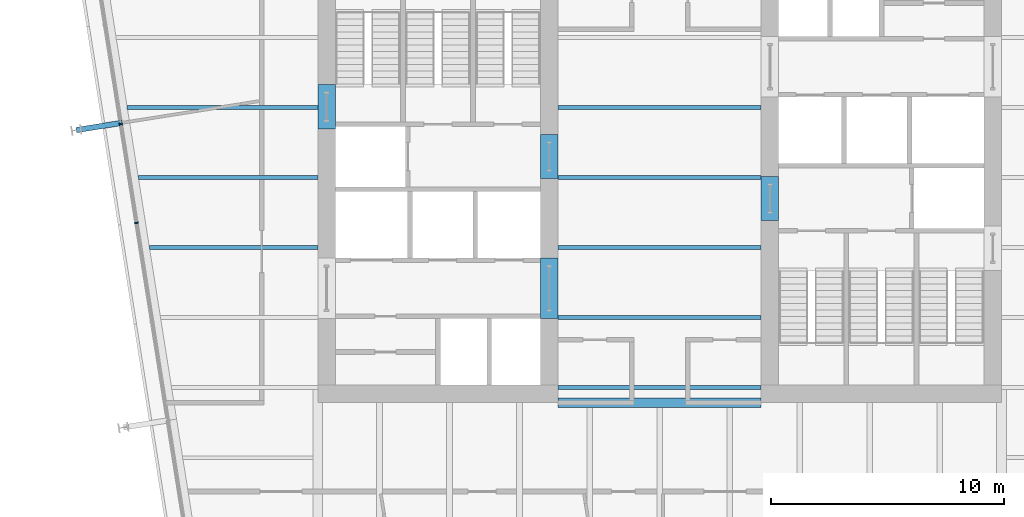
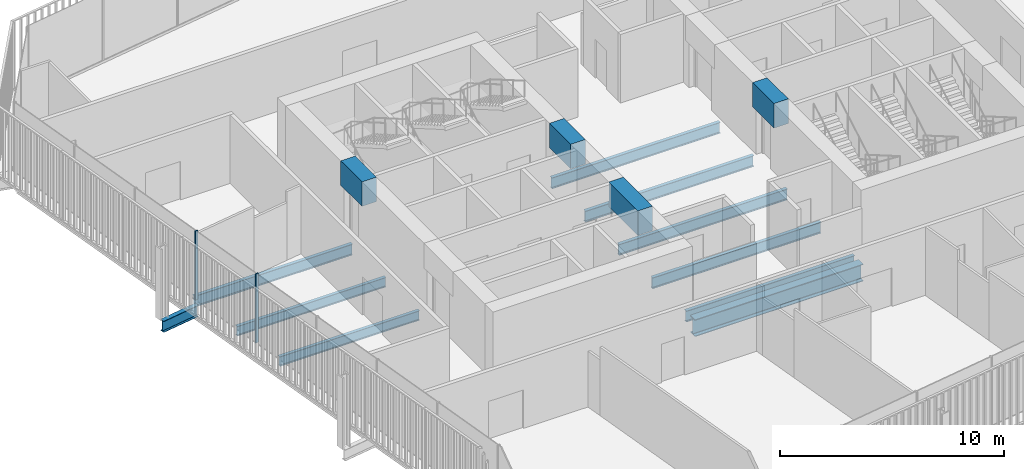
# One storey, part 6 of 21: 14 beams, 2 members, 1 element without a shape of its own.
"""IFC4 building model written with IfcOpenShell, lengths in metres."""

from ifc_helpers import new_model, si_unit, direction, frame, origin, origin_2d, place, context, subcontext, project, spatial, rectangle, i_section, extrude, material, layer, layer_set, material_profile, profile_set, type_object, element, aggregate, save


model = new_model("IFC4")

# Units and contexts
model_context = context("Model", 3, precision=1e-05, world=origin(), true_north=direction((0.0, 1.0)))
body_context = subcontext(model_context, "Body", "Model", "MODEL_VIEW")
ifc_project = project(units=[si_unit("LENGTHUNIT", "METRE"), si_unit("AREAUNIT", "SQUARE_METRE"), si_unit("VOLUMEUNIT", "CUBIC_METRE"), si_unit("PLANEANGLEUNIT", "RADIAN"), si_unit("MASSUNIT", "GRAM", prefix="KILO")], contexts=[model_context])

# Site, building, storey
site_placement = place(None, origin())
site = spatial("IfcSite", under=ifc_project, at=site_placement, CompositionType="ELEMENT")
building_placement = place(site_placement, origin())
building = spatial("IfcBuilding", under=site, at=building_placement, Name="Millrace Tower", CompositionType="ELEMENT")
storey_placement = place(building_placement, frame((0.0, 0.0, 149.0)))
storey = spatial("IfcBuildingStorey", under=building, at=storey_placement, Name="L33", CompositionType="ELEMENT", Elevation=149.0)

# Curtain wall, members
ifc_material_1 = material(Name="Aluminium and glass", Category="aluminium")
ifc_layer = layer(ifc_material_1, 0.14990234375)
ifc_layer_set = layer_set([ifc_layer], Name="Aluminium and glass")
curtain_wall_type = type_object("IfcCurtainWallType", Name="CW-1 office vision curtain wall", PredefinedType="NOTDEFINED", material=ifc_layer_set)
curtain_wall_placement = place(storey_placement, origin())
curtain_wall = element("IfcCurtainWall", 1, at=curtain_wall_placement, inside=storey, type_object=curtain_wall_type, Name="Curtain wall C-F08 L33", PredefinedType="NOTDEFINED")
ifc_material_2 = material(Name="Aluminium", Category="aluminium")
ifc_material_profile_1 = material_profile(ifc_material_2, rectangle(XDim=0.06494140625, YDim=0.14990234375, at=origin_2d()))
ifc_profile_set_1 = profile_set([ifc_material_profile_1], Name="Aluminium")
member_type = type_object("IfcMemberType", Name="CW-1 office vision curtain wall mullion", PredefinedType="MULLION", material=ifc_profile_set_1)
member_1_placement = place(storey_placement, frame((-23.088623046875, 2.300537109375, 0.139892578125), z_axis=(0.0, 0.0, 1.0), x_axis=(0.15643447328, -0.98768833929, 0.0)))
member_1 = element("IfcMember", 2, at=member_1_placement, type_object=member_type, Name="CW1 mullion C-F08.4", PredefinedType="MULLION", context=body_context, shape_type="SweptSolid", body=[
    extrude(rectangle(XDim=0.06494140625, YDim=0.14990234375, at=origin_2d()), origin(), (0.0, 0.0, 1.0), 3.760009765625),
])
member_2_placement = place(storey_placement, frame((-22.416015625, -1.946533203125, 0.139892578125), z_axis=(0.0, 0.0, 1.0), x_axis=(0.15643447328, -0.98768833929, 0.0)))
member_2 = element("IfcMember", 3, at=member_2_placement, type_object=member_type, Name="CW1 mullion C-F08.5", PredefinedType="MULLION", context=body_context, shape_type="SweptSolid", body=[
    extrude(rectangle(XDim=0.06494140625, YDim=0.14990234375, at=origin_2d()), origin(), (0.0, 0.0, 1.0), 3.760009765625),
])
aggregate(curtain_wall, [member_1, member_2])

# Beams
ifc_material_3 = material(Name="Concrete C70", Category="concrete")
ifc_material_profile_2 = material_profile(ifc_material_3, rectangle(XDim=0.75, YDim=1.340087890625, at=origin_2d()))
ifc_profile_set_2 = profile_set([ifc_material_profile_2], Name="Concrete C70")
beam_type_1 = type_object("IfcBeamType", Name="Coupling beam 750 x 1340 Concrete C70, 1300 opening", PredefinedType="BEAM", material=ifc_profile_set_2)
beam_1_placement = place(storey_placement, frame((-14.27490234375, 2.080078125, 3.070068359375), z_axis=(0.0, 1.0, 0.0), x_axis=(-1.0, 0.0, 0.0)))
element("IfcBeam", 4, at=beam_1_placement, inside=storey, type_object=beam_type_1, Name="Coupling beam W L33", PredefinedType="BEAM", context=body_context, shape_type="SweptSolid", body=[
    extrude(rectangle(XDim=0.75, YDim=1.340087890625, at=origin_2d()), origin(), (0.0, 0.0, 1.0), 1.89990234375),
])
for number, where, z_axis, x_axis, name in (
    (5, (-4.72509765625, -0.050048828125, 3.070068359375), (0.0, 1.0, 0.0), (-1.0, 0.0, 0.0), "Coupling beam W L33"),
    (6, (4.72509765625, 0.050048828125, 3.070068359375), (0.0, -1.0, 0.0), (1.0, 0.0, 0.0), "Coupling beam E L33"),
):
    element("IfcBeam", number, at=place(storey_placement, frame(where, z_axis=z_axis, x_axis=x_axis)), inside=storey, type_object=beam_type_1, Name=name, PredefinedType="BEAM", context=body_context, shape_type="SweptSolid", body=[
        extrude(rectangle(XDim=0.75, YDim=1.340087890625, at=origin_2d()), origin(), (0.0, 0.0, 1.0), 1.900146484375),
    ])
ifc_material_4 = material(Name="Concrete C70", Category="concrete")
ifc_material_profile_3 = material_profile(ifc_material_4, rectangle(XDim=0.75, YDim=1.340087890625, at=origin_2d()))
ifc_profile_set_3 = profile_set([ifc_material_profile_3], Name="Concrete C70")
beam_type_2 = type_object("IfcBeamType", Name="Coupling beam 750 x 1340 Concrete C70, 2000 opening", PredefinedType="BEAM", material=ifc_profile_set_3)
beam_2_placement = place(storey_placement, frame((-4.72509765625, -6.050048828125, 3.070068359375), z_axis=(0.0, 1.0, 0.0), x_axis=(-1.0, 0.0, 0.0)))
element("IfcBeam", 7, at=beam_2_placement, inside=storey, type_object=beam_type_2, Name="Coupling beam W L33", PredefinedType="BEAM", context=body_context, shape_type="SweptSolid", body=[
    extrude(rectangle(XDim=0.75, YDim=1.340087890625, at=origin_2d()), origin(), (0.0, 0.0, 1.0), 2.60009765625),
])
ifc_material_5 = material(Name="Steel ASTM A992 Grade 50", Category="steel")
ifc_material_profile_4 = material_profile(ifc_material_5, i_section(OverallWidth=0.1650390625, OverallDepth=0.52587890625, WebThickness=0.0087890625, FlangeThickness=0.011474609375, FilletRadius=0.0126953125, at=origin_2d()))
ifc_profile_set_4 = profile_set([ifc_material_profile_4], Name="Steel ASTM A992 Grade 50")
beam_type_3 = type_object("IfcBeamType", Name="Floor beam W21x44", PredefinedType="JOIST", material=ifc_profile_set_4)
beam_3_placement = place(storey_placement, frame((-21.862060546875, -3.0, -0.4228515625), z_axis=(1.0, 0.0, 0.0), x_axis=(0.0, 1.0, 0.0)))
element("IfcBeam", 8, at=beam_3_placement, inside=storey, type_object=beam_type_3, Name="BM-C-L33-S1-S017", PredefinedType="JOIST", context=body_context, shape_type="SweptSolid", body=[
    extrude(i_section(OverallWidth=0.1650390625, OverallDepth=0.52587890625, WebThickness=0.0087890625, FlangeThickness=0.011474609375, FilletRadius=0.0126953125, at=origin_2d()), origin(), (0.0, 0.0, 1.0), 7.212158203125),
])
beam_4_placement = place(storey_placement, frame((-22.337158203125, 0.0, -0.4228515625), z_axis=(1.0, 0.0, 0.0), x_axis=(0.0, 1.0, 0.0)))
element("IfcBeam", 9, at=beam_4_placement, inside=storey, type_object=beam_type_3, Name="BM-C-L33-S1-S020", PredefinedType="JOIST", context=body_context, shape_type="SweptSolid", body=[
    extrude(i_section(OverallWidth=0.1650390625, OverallDepth=0.52587890625, WebThickness=0.0087890625, FlangeThickness=0.011474609375, FilletRadius=0.0126953125, at=origin_2d()), origin(), (0.0, 0.0, 1.0), 7.687255859375),
])
ifc_material_6 = material(Name="Steel ASTM A992 Grade 50", Category="steel")
ifc_material_profile_5 = material_profile(ifc_material_6, i_section(OverallWidth=0.177978515625, OverallDepth=0.599365234375, WebThickness=0.010009765625, FlangeThickness=0.012939453125, FilletRadius=0.012939453125, at=origin_2d()))
ifc_profile_set_5 = profile_set([ifc_material_profile_5], Name="Steel ASTM A992 Grade 50")
beam_type_4 = type_object("IfcBeamType", Name="Floor beam W24x55", PredefinedType="JOIST", material=ifc_profile_set_5)
for number, where, z_axis, x_axis, name in (
    (10, (-4.35009765625, -9.0, -0.459716796875), (1.0, 0.0, 0.0), (0.0, 1.0, 0.0), "BM-C-L33-S1-S010"),
    (11, (-4.35009765625, -6.0, -0.459716796875), (1.0, 0.0, 0.0), (0.0, 1.0, 0.0), "BM-C-L33-S1-S013"),
    (12, (-4.35009765625, -3.0, -0.459716796875), (1.0, 0.0, 0.0), (0.0, 1.0, 0.0), "BM-C-L33-S1-S016"),
    (13, (-4.35009765625, 0.0, -0.459716796875), (1.0, 0.0, 0.0), (0.0, 1.0, 0.0), "BM-C-L33-S1-S019"),
    (14, (-4.35009765625, 3.0, -0.459716796875), (1.0, 0.0, 0.0), (0.0, 1.0, 0.0), "BM-C-L33-S1-S022"),
):
    element("IfcBeam", number, at=place(storey_placement, frame(where, z_axis=z_axis, x_axis=x_axis)), inside=storey, type_object=beam_type_4, Name=name, PredefinedType="JOIST", context=body_context, shape_type="SweptSolid", body=[
        extrude(i_section(OverallWidth=0.177978515625, OverallDepth=0.599365234375, WebThickness=0.010009765625, FlangeThickness=0.012939453125, FilletRadius=0.012939453125, at=origin_2d()), origin(), (0.0, 0.0, 1.0), 8.7001953125),
    ])
beam_5_placement = place(storey_placement, frame((-22.812255859375, 3.0, -0.459716796875), z_axis=(1.0, 0.0, 0.0), x_axis=(0.0, 1.0, 0.0)))
element("IfcBeam", 15, at=beam_5_placement, inside=storey, type_object=beam_type_4, Name="BM-C-L33-S1-S023", PredefinedType="JOIST", context=body_context, shape_type="SweptSolid", body=[
    extrude(i_section(OverallWidth=0.177978515625, OverallDepth=0.599365234375, WebThickness=0.010009765625, FlangeThickness=0.012939453125, FilletRadius=0.012939453125, at=origin_2d()), origin(), (0.0, 0.0, 1.0), 8.162353515625),
])
ifc_material_7 = material(Name="Steel ASTM A992 Grade 50", Category="steel")
ifc_material_profile_6 = material_profile(ifc_material_7, i_section(OverallWidth=0.419189453125, OverallDepth=0.927001953125, WebThickness=0.019287109375, FlangeThickness=0.031982421875, FilletRadius=0.024169921875, at=origin_2d()))
ifc_profile_set_6 = profile_set([ifc_material_profile_6], Name="Steel ASTM A992 Grade 50")
beam_type_5 = type_object("IfcBeamType", Name="Girder short span W36x231", PredefinedType="BEAM", material=ifc_profile_set_6)
beam_6_placement = place(storey_placement, frame((-4.35009765625, -9.64990234375, -0.62353515625), z_axis=(1.0, 0.0, 0.0), x_axis=(0.0, 1.0, 0.0)))
element("IfcBeam", 16, at=beam_6_placement, inside=storey, type_object=beam_type_5, Name="BM-C-L33-S1-G062", PredefinedType="BEAM", context=body_context, shape_type="SweptSolid", body=[
    extrude(i_section(OverallWidth=0.419189453125, OverallDepth=0.927001953125, WebThickness=0.019287109375, FlangeThickness=0.031982421875, FilletRadius=0.024169921875, at=origin_2d()), origin(), (0.0, 0.0, 1.0), 8.7001953125),
])
ifc_material_8 = material(Name="Steel ASTM A992 Grade 50", Category="steel")
ifc_material_profile_7 = material_profile(ifc_material_8, i_section(OverallWidth=0.23046875, OverallDepth=0.6171875, WebThickness=0.01318359375, FlangeThickness=0.022216796875, FilletRadius=0.012939453125, at=origin_2d()))
ifc_profile_set_7 = profile_set([ifc_material_profile_7], Name="Steel ASTM A992 Grade 50")
beam_type_6 = type_object("IfcBeamType", Name="Link beam W24x94", PredefinedType="BEAM", material=ifc_profile_set_7)
beam_7_placement = place(storey_placement, frame((-23.019775390625, 2.344482421875, -0.468505859375), z_axis=(-0.987678691416, -0.156495375404, 0.0), x_axis=(0.156495375404, -0.987678691416, 0.0)))
element("IfcBeam", 17, at=beam_7_placement, inside=storey, type_object=beam_type_6, Name="LNK-C-L33-S1-03", PredefinedType="BEAM", context=body_context, shape_type="SweptSolid", body=[
    extrude(i_section(OverallWidth=0.23046875, OverallDepth=0.6171875, WebThickness=0.01318359375, FlangeThickness=0.022216796875, FilletRadius=0.012939453125, at=origin_2d()), origin(), (0.0, 0.0, 1.0), 2.0),
])

save(model, "model.ifc")
